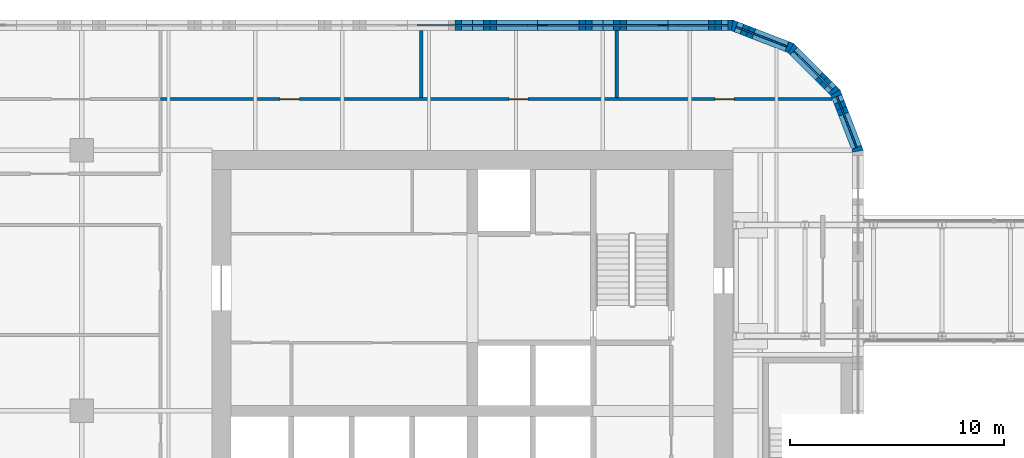
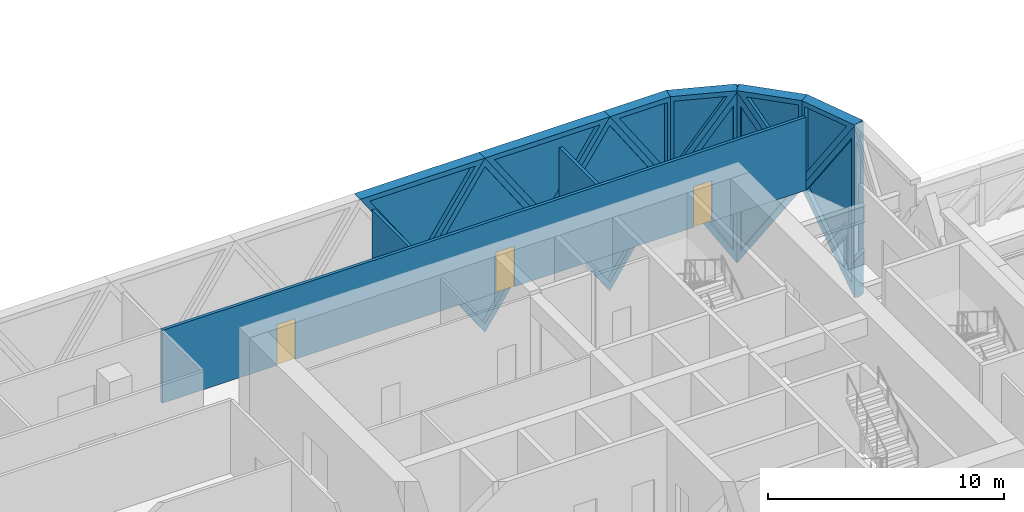
# One storey, part 19 of 30: 14 walls, 11 plates, 3 doors, 14 openings.
"""IFC4 building model written with IfcOpenShell, lengths in metres."""

from ifc_helpers import new_model, si_unit, direction, frame, frame_2d, origin, place, context, subcontext, project, spatial, polyline, rectangle, outline, extrude, faceted_brep, source, transform, mapped, material, layer, layer_set, type_object, element, fill, save


model = new_model("IFC4")

# Units and contexts
model_context = context("Model", 3, precision=1e-05, world=origin(), true_north=direction((0.0, 1.0)))
body_context = subcontext(model_context, "Body", "Model", "MODEL_VIEW")
ifc_project = project(units=[si_unit("LENGTHUNIT", "METRE"), si_unit("AREAUNIT", "SQUARE_METRE"), si_unit("VOLUMEUNIT", "CUBIC_METRE"), si_unit("PLANEANGLEUNIT", "RADIAN"), si_unit("MASSUNIT", "GRAM", prefix="KILO")], contexts=[model_context])

# Site, building, storey
site_placement = place(None, origin())
site = spatial("IfcSite", under=ifc_project, at=site_placement, CompositionType="ELEMENT")
building_placement = place(site_placement, origin())
building = spatial("IfcBuilding", under=site, at=building_placement, Name="Tessera Gate Towers", CompositionType="ELEMENT")
storey_placement = place(building_placement, frame((0.0, 0.0, 21.300048828125)))
storey = spatial("IfcBuildingStorey", under=building, at=storey_placement, Name="L04", CompositionType="ELEMENT", Elevation=21.300048828125)

# Wall, openings, doors
ifc_material_1 = material(Name="Gypsum board on steel studs, mineral wool", Category="steel")
ifc_layer_1 = layer(ifc_material_1, 0.14990234375)
ifc_layer_set_1 = layer_set([ifc_layer_1], Name="CORRIDOR WALL 150")
wall_type_1 = type_object("IfcWallType", Name="CORRIDOR WALL 150", PredefinedType="PARTITIONING", material=ifc_layer_set_1)
wall_1_placement = place(storey_placement, frame((28.10009765625, 51.199951171875, 0.0), z_axis=(0.0, 0.0, 1.0), x_axis=(1.0, 0.0, 0.0)))
wall_1 = element("IfcWall", 1, at=wall_1_placement, inside=storey, type_object=wall_type_1, Name="T1-L04-PW-046", PredefinedType="PARTITIONING", context=body_context, shape_type="SweptSolid", body=[
    extrude(rectangle(XDim=31.438232421875, YDim=0.14990234375, at=frame_2d((15.71923828125, 0.0))), origin(), (0.0, 0.0, 1.0), 3.766845703125),
])
shared_shape_1 = source(origin(), body_context, "Body", "SweptSolid", [
    extrude(rectangle(XDim=0.89990234375, YDim=2.10009765625, at=frame_2d((0.449951171875, 1.050048828125))), frame((0.0, 0.0849609375, 0.0), z_axis=(0.0, -1.0, 0.0), x_axis=(1.0, 0.0, 0.0)), (0.0, 0.0, 1.0), 0.169921875),
])
opening_1_placement = place(wall_1_placement, frame((16.301025390625, 0.0, 0.0)))
opening_1 = element("IfcOpeningElement", 2, at=opening_1_placement, cuts=wall_1, Name="Opening D890FD60-A01-05", PredefinedType="OPENING", context=body_context, shape_type="MappedRepresentation", body=[
    mapped(shared_shape_1, transform((0.0, 0.0, 0.0), scale=1.0)),
])
opening_2_placement = place(wall_1_placement, frame((25.949951171875, 0.0, 0.0)))
opening_2 = element("IfcOpeningElement", 3, at=opening_2_placement, cuts=wall_1, Name="Opening D890FD60-A01-07", PredefinedType="OPENING", context=body_context, shape_type="MappedRepresentation", body=[
    mapped(shared_shape_1, transform((0.0, 0.0, 0.0), scale=1.0)),
])
opening_3_placement = place(wall_1_placement, frame((5.60009765625, 0.0, 0.0)))
opening_3 = element("IfcOpeningElement", 4, at=opening_3_placement, cuts=wall_1, Name="Opening D890FD60-A01-08", PredefinedType="OPENING", context=body_context, shape_type="MappedRepresentation", body=[
    mapped(shared_shape_1, transform((0.0, 0.0, 0.0), scale=1.0)),
])
ifc_material_2 = material(Name="Timber door leaf in steel frame", Category="steel")
door_type = type_object("IfcDoorType", Name="CORRIDOR DOOR 900 FD60", OperationType="NOTDEFINED", PredefinedType="DOOR", material=ifc_material_2)
shared_shape_2 = source(origin(), body_context, "Body", "SweptSolid", [
    extrude(rectangle(XDim=0.89990234375, YDim=2.10009765625, at=frame_2d((0.449951171875, 1.050048828125))), frame((0.0, 0.02490234375, 0.0), z_axis=(0.0, -1.0, 0.0), x_axis=(1.0, 0.0, 0.0)), (0.0, 0.0, 1.0), 0.050048828125),
])
door_1_placement = place(opening_1_placement, origin())
door_1 = element("IfcDoor", 5, at=door_1_placement, inside=storey, type_object=door_type, Name="T1-L04-PD-019", OperationType="SINGLE_SWING_LEFT", OverallHeight=2.10009765625, OverallWidth=0.89990234375, PredefinedType="DOOR", context=body_context, shape_type="MappedRepresentation", body=[
    mapped(shared_shape_2, transform((0.0, 0.0, 0.0), scale=1.0)),
])
fill(opening_1, door_1)
door_2_placement = place(opening_2_placement, origin())
door_2 = element("IfcDoor", 6, at=door_2_placement, inside=storey, type_object=door_type, Name="T1-L04-PD-022", OperationType="SINGLE_SWING_LEFT", OverallHeight=2.10009765625, OverallWidth=0.89990234375, PredefinedType="DOOR", context=body_context, shape_type="MappedRepresentation", body=[
    mapped(shared_shape_2, transform((0.0, 0.0, 0.0), scale=1.0)),
])
fill(opening_2, door_2)
door_3_placement = place(opening_3_placement, origin())
door_3 = element("IfcDoor", 7, at=door_3_placement, inside=storey, type_object=door_type, Name="T1-L04-PD-024", OperationType="SINGLE_SWING_LEFT", OverallHeight=2.10009765625, OverallWidth=0.89990234375, PredefinedType="DOOR", context=body_context, shape_type="MappedRepresentation", body=[
    mapped(shared_shape_2, transform((0.0, 0.0, 0.0), scale=1.0)),
])
fill(opening_3, door_3)

# Walls
ifc_material_3 = material(Name="Gypsum board on steel studs, mineral wool", Category="steel")
ifc_layer_2 = layer(ifc_material_3, 0.14990234375)
ifc_layer_set_2 = layer_set([ifc_layer_2], Name="TENANCY WALL 150")
wall_type_2 = type_object("IfcWallType", Name="TENANCY WALL 150", PredefinedType="PARTITIONING", material=ifc_layer_set_2)
for number, where, z_axis, x_axis, name in (
    (8, (40.300048828125, 51.27587890625, 0.0), (0.0, 0.0, 1.0), (0.0, 1.0, 0.0), "T1-L04-PW-050"),
    (9, (49.449951171875, 51.27587890625, 0.0), (0.0, 0.0, 1.0), (0.0, 1.0, 0.0), "T1-L04-PW-051"),
):
    element("IfcWall", number, at=place(storey_placement, frame(where, z_axis=z_axis, x_axis=x_axis)), inside=storey, type_object=wall_type_2, Name=name, PredefinedType="PARTITIONING", context=body_context, shape_type="SweptSolid", body=[
        extrude(rectangle(XDim=3.1240234375, YDim=0.14990234375, at=frame_2d((1.56201171875, 0.0))), origin(), (0.0, 0.0, 1.0), 3.766845703125),
    ])

# Wall, opening, plate
ifc_material_4 = material(Name="Precast concrete C60/75 white", Category="concrete")
ifc_layer_3 = layer(ifc_material_4, 0.5)
ifc_layer_set_3 = layer_set([ifc_layer_3], Name="TS1 tessera")
wall_type_3 = type_object("IfcWallType", Name="TS1 tessera", PredefinedType="SOLIDWALL", material=ifc_layer_set_3)
shared_shape_3 = source(origin(), body_context, "Body", "Brep", [
    faceted_brep([(3.00341796875, -0.25, 0.0), (6.053466796875, -0.25, 4.5), (3.00341796875, -0.25, 9.0), (0.0, -0.25, 4.5), (0.046630859375, 0.25, 4.56982421875), (3.00341796875, 0.25, 9.0), (6.053466796875, 0.25, 4.5), (3.00341796875, 0.25, 0.0), (0.046630859375, 0.25, 4.43017578125), (0.0, 0.0, 4.5)], [[[0, 1, 2, 3]], [[4, 5, 6, 7, 8]], [[7, 6, 1, 0]], [[6, 5, 2, 1]], [[5, 4, 9, 3, 2]], [[8, 7, 0, 3, 9]], [[8, 9, 4]]]),
])
wall_2_placement = place(storey_placement, frame((54.853515625, 54.64990234375, -4.5), z_axis=(0.0, 0.0, 1.0), x_axis=(-1.0, 0.0, 0.0)))
wall_2 = element("IfcWall", 10, at=wall_2_placement, inside=storey, type_object=wall_type_3, Name="Precast tessera T1 TS1-0010", PredefinedType="SOLIDWALL", context=body_context, shape_type="MappedRepresentation", body=[
    mapped(shared_shape_3, transform((0.0, 0.0, 0.0), scale=1.0)),
])
shared_shape_4 = source(origin(), body_context, "Body", "SweptSolid", [
    extrude(outline(polyline([(3.005126953125, 0.447998046875), (5.75146484375, 4.5), (3.005126953125, 8.552001953125), (0.300537109375, 4.5), (3.005126953125, 0.447998046875)])), frame((0.0, 0.260009765625, 0.0), z_axis=(0.0, -1.0, 0.0), x_axis=(1.0, 0.0, 0.0)), (0.0, 0.0, 1.0), 0.52001953125),
])
opening_4_placement = place(wall_2_placement, origin())
opening_4 = element("IfcOpeningElement", 11, at=opening_4_placement, cuts=wall_2, Name="Opening T1-PL2-0018", PredefinedType="OPENING", context=body_context, shape_type="MappedRepresentation", body=[
    mapped(shared_shape_4, transform((0.0, 0.0, 0.0), scale=1.0)),
])
ifc_material_5 = material(Name="Low-e laminated glass", Category="glass")
ifc_layer_4 = layer(ifc_material_5, 0.06005859375)
ifc_layer_set_4 = layer_set([ifc_layer_4], Name="PL2 rhombic pane")
plate_type_1 = type_object("IfcPlateType", Name="PL2 rhombic pane", PredefinedType="SHEET", material=ifc_layer_set_4)
shared_shape_5 = source(origin(), body_context, "Body", "SweptSolid", [
    extrude(outline(polyline([(3.005126953125, 0.447998046875), (5.75146484375, 4.5), (3.005126953125, 8.552001953125), (0.300537109375, 4.5), (3.005126953125, 0.447998046875)])), frame((0.0, 0.030029296875, 0.0), z_axis=(0.0, -1.0, 0.0), x_axis=(1.0, 0.0, 0.0)), (0.0, 0.0, 1.0), 0.06005859375),
])
plate_1_placement = place(opening_4_placement, origin())
plate_1 = element("IfcPlate", 12, at=plate_1_placement, inside=storey, type_object=plate_type_1, Name="Glass pane T1 PL2-0018", PredefinedType="SHEET", context=body_context, shape_type="MappedRepresentation", body=[
    mapped(shared_shape_5, transform((0.0, 0.0, 0.0), scale=1.0)),
])
fill(opening_4, plate_1)

shared_shape_6 = source(origin(), body_context, "Body", "SweptSolid", [
    extrude(outline(polyline([(3.050048828125, 0.0), (6.10009765625, 4.5), (3.050048828125, 9.0), (0.0, 4.5), (3.050048828125, 0.0)])), frame((0.0, 0.25, 0.0), z_axis=(0.0, -1.0, 0.0), x_axis=(1.0, 0.0, 0.0)), (0.0, 0.0, 1.0), 0.5),
])
wall_3_placement = place(storey_placement, frame((48.800048828125, 54.64990234375, -4.5), z_axis=(0.0, 0.0, 1.0), x_axis=(-1.0, 0.0, 0.0)))
wall_3 = element("IfcWall", 13, at=wall_3_placement, inside=storey, type_object=wall_type_3, Name="Precast tessera T1 TS1-0011", PredefinedType="SOLIDWALL", context=body_context, shape_type="MappedRepresentation", body=[
    mapped(shared_shape_6, transform((0.0, 0.0, 0.0), scale=1.0)),
])
shared_shape_7 = source(origin(), body_context, "Body", "SweptSolid", [
    extrude(outline(polyline([(3.050048828125, 0.445556640625), (5.798095703125, 4.5), (3.050048828125, 8.554443359375), (0.302001953125, 4.5), (3.050048828125, 0.445556640625)])), frame((0.0, 0.260009765625, 0.0), z_axis=(0.0, -1.0, 0.0), x_axis=(1.0, 0.0, 0.0)), (0.0, 0.0, 1.0), 0.52001953125),
])
opening_5_placement = place(wall_3_placement, origin())
opening_5 = element("IfcOpeningElement", 14, at=opening_5_placement, cuts=wall_3, Name="Opening T1-PL2-0019", PredefinedType="OPENING", context=body_context, shape_type="MappedRepresentation", body=[
    mapped(shared_shape_7, transform((0.0, 0.0, 0.0), scale=1.0)),
])
shared_shape_8 = source(origin(), body_context, "Body", "SweptSolid", [
    extrude(outline(polyline([(3.050048828125, 0.445556640625), (5.798095703125, 4.5), (3.050048828125, 8.554443359375), (0.302001953125, 4.5), (3.050048828125, 0.445556640625)])), frame((0.0, 0.030029296875, 0.0), z_axis=(0.0, -1.0, 0.0), x_axis=(1.0, 0.0, 0.0)), (0.0, 0.0, 1.0), 0.06005859375),
])
plate_2_placement = place(opening_5_placement, origin())
plate_2 = element("IfcPlate", 15, at=plate_2_placement, inside=storey, type_object=plate_type_1, Name="Glass pane T1 PL2-0019", PredefinedType="SHEET", context=body_context, shape_type="MappedRepresentation", body=[
    mapped(shared_shape_8, transform((0.0, 0.0, 0.0), scale=1.0)),
])
fill(opening_5, plate_2)

ifc_material_6 = material(Name="Precast concrete C60/75 white", Category="concrete")
ifc_layer_5 = layer(ifc_material_6, 0.5)
ifc_layer_set_5 = layer_set([ifc_layer_5], Name="TS3 corner tessera")
wall_type_4 = type_object("IfcWallType", Name="TS3 corner tessera", PredefinedType="SOLIDWALL", material=ifc_layer_set_5)
shared_shape_9 = source(origin(), body_context, "Body", "Brep", [
    faceted_brep([(0.046630859375, -0.25, 0.0), (2.9970703125, -0.25, 4.5), (0.046630859375, -0.25, 9.0), (0.0, -0.25, 8.93017578125), (0.0, -0.25, 0.06982421875), (0.09326171875, 0.25, 8.928955078125), (2.9443359375, 0.25, 4.58056640625), (2.9443359375, 0.25, 4.41943359375), (0.09326171875, 0.25, 0.071044921875), (2.9970703125, 0.00048828125, 4.5), (0.046630859375, 0.0, 0.0), (0.046630859375, 0.0, 9.0)], [[[0, 1, 2, 3, 4]], [[5, 6, 7, 8]], [[8, 7, 9, 1, 0, 10]], [[6, 5, 11, 2, 1, 9]], [[3, 2, 11]], [[10, 0, 4]], [[8, 10, 4, 3, 11, 5]], [[9, 7, 6]]]),
])
wall_4_placement = place(storey_placement, frame((60.766845703125, 48.7099609375, -4.5), z_axis=(0.0, 0.0, 1.0), x_axis=(-0.359901446078, 0.932990326376, 0.0)))
wall_4 = element("IfcWall", 16, at=wall_4_placement, inside=storey, type_object=wall_type_4, Name="Precast corner tessera T1 TS3-0030", PredefinedType="SOLIDWALL", context=body_context, shape_type="MappedRepresentation", body=[
    mapped(shared_shape_9, transform((0.0, 0.0, 0.0), scale=1.0)),
])
shared_shape_10 = source(origin(), body_context, "Body", "SweptSolid", [
    extrude(outline(polyline([(0.24658203125, 0.760986328125), (2.6982421875, 4.5), (0.24658203125, 8.239013671875), (0.24658203125, 0.760986328125)])), frame((0.0, 0.260009765625, 0.0), z_axis=(0.0, -1.0, 0.0), x_axis=(1.0, 0.0, 0.0)), (0.0, 0.0, 1.0), 0.52001953125),
])
opening_6_placement = place(wall_4_placement, origin())
opening_6 = element("IfcOpeningElement", 17, at=opening_6_placement, cuts=wall_4, Name="Opening T1-PL2-0015", PredefinedType="OPENING", context=body_context, shape_type="MappedRepresentation", body=[
    mapped(shared_shape_10, transform((0.0, 0.0, 0.0), scale=1.0)),
])
shared_shape_11 = source(origin(), body_context, "Body", "SweptSolid", [
    extrude(outline(polyline([(0.24658203125, 0.760986328125), (2.6982421875, 4.5), (0.24658203125, 8.239013671875), (0.24658203125, 0.760986328125)])), frame((0.0, 0.030029296875, 0.0), z_axis=(0.0, -1.0, 0.0), x_axis=(1.0, 0.0, 0.0)), (0.0, 0.0, 1.0), 0.06005859375),
])
plate_3_placement = place(opening_6_placement, origin())
plate_3 = element("IfcPlate", 18, at=plate_3_placement, inside=storey, type_object=plate_type_1, Name="Glass pane T1 PL2-0015", PredefinedType="SHEET", context=body_context, shape_type="MappedRepresentation", body=[
    mapped(shared_shape_11, transform((0.0, 0.0, 0.0), scale=1.0)),
])
fill(opening_6, plate_3)

shared_shape_12 = source(origin(), body_context, "Body", "Brep", [
    faceted_brep([(2.944091796875, -0.25, 0.0), (2.9970703125, -0.25, 0.080810546875), (2.9970703125, -0.25, 8.919189453125), (2.944091796875, -0.25, 9.0), (0.0, -0.25, 4.5), (0.052978515625, 0.25, 4.580810546875), (2.89111328125, 0.25, 8.919189453125), (2.89111328125, 0.25, 0.080810546875), (0.052978515625, 0.25, 4.419189453125), (2.944091796875, 0.000244140625, 0.0), (2.944091796875, 0.000244140625, 9.0), (0.0, 0.0, 4.5)], [[[0, 1, 2, 3, 4]], [[5, 6, 7, 8]], [[1, 0, 9]], [[10, 3, 2]], [[6, 5, 11, 4, 3, 10]], [[8, 7, 9, 0, 4, 11]], [[8, 11, 5]], [[1, 9, 7, 6, 10, 2]]]),
])
wall_5_placement = place(storey_placement, frame((59.68798828125, 51.50634765625, -4.5), z_axis=(0.0, 0.0, 1.0), x_axis=(-0.707106781187, 0.707106781187, 0.0)))
wall_5 = element("IfcWall", 19, at=wall_5_placement, inside=storey, type_object=wall_type_4, Name="Precast corner tessera T1 TS3-0031", PredefinedType="SOLIDWALL", context=body_context, shape_type="MappedRepresentation", body=[
    mapped(shared_shape_12, transform((0.0, 0.0, 0.0), scale=1.0)),
])
shared_shape_13 = source(origin(), body_context, "Body", "SweptSolid", [
    extrude(outline(polyline([(2.744140625, 8.237548828125), (0.298828125, 4.5), (2.744140625, 0.76220703125), (2.744140625, 8.237548828125)])), frame((0.0, 0.260009765625, 0.0), z_axis=(0.0, -1.0, 0.0), x_axis=(1.0, 0.0, 0.0)), (0.0, 0.0, 1.0), 0.52001953125),
])
opening_7_placement = place(wall_5_placement, origin())
opening_7 = element("IfcOpeningElement", 20, at=opening_7_placement, cuts=wall_5, Name="Opening T1-PL2-0016", PredefinedType="OPENING", context=body_context, shape_type="MappedRepresentation", body=[
    mapped(shared_shape_13, transform((0.0, 0.0, 0.0), scale=1.0)),
])
shared_shape_14 = source(origin(), body_context, "Body", "SweptSolid", [
    extrude(outline(polyline([(2.744140625, 8.237548828125), (0.298828125, 4.5), (2.744140625, 0.76220703125), (2.744140625, 8.237548828125)])), frame((0.0, 0.030029296875, 0.0), z_axis=(0.0, -1.0, 0.0), x_axis=(1.0, 0.0, 0.0)), (0.0, 0.0, 1.0), 0.06005859375),
])
plate_4_placement = place(opening_7_placement, origin())
plate_4 = element("IfcPlate", 21, at=plate_4_placement, inside=storey, type_object=plate_type_1, Name="Glass pane T1 PL2-0016", PredefinedType="SHEET", context=body_context, shape_type="MappedRepresentation", body=[
    mapped(shared_shape_14, transform((0.0, 0.0, 0.0), scale=1.0)),
])
fill(opening_7, plate_4)

shared_shape_15 = source(origin(), body_context, "Body", "Brep", [
    faceted_brep([(0.052978515625, -0.25, 0.0), (3.00341796875, -0.25, 4.5), (0.052978515625, -0.25, 9.0), (0.0, -0.25, 8.919189453125), (0.0, -0.25, 0.080810546875), (0.10595703125, 0.25, 8.919189453125), (2.95703125, 0.25, 4.57080078125), (2.95703125, 0.25, 4.42919921875), (0.10595703125, 0.25, 0.080810546875), (3.00341796875, 0.00048828125, 4.5), (0.052978515625, 0.0, 0.0), (0.052978515625, 0.0, 9.0)], [[[0, 1, 2, 3, 4]], [[5, 6, 7, 8]], [[8, 7, 9, 1, 0, 10]], [[6, 5, 11, 2, 1, 9]], [[3, 2, 11]], [[10, 0, 4]], [[8, 10, 4, 3, 11, 5]], [[9, 7, 6]]]),
])
wall_6_placement = place(storey_placement, frame((57.65576171875, 53.569091796875, -4.5), z_axis=(0.0, 0.0, 1.0), x_axis=(-0.933007896601, 0.359855894603, 0.0)))
wall_6 = element("IfcWall", 22, at=wall_6_placement, inside=storey, type_object=wall_type_4, Name="Precast corner tessera T1 TS3-0032", PredefinedType="SOLIDWALL", context=body_context, shape_type="MappedRepresentation", body=[
    mapped(shared_shape_15, transform((0.0, 0.0, 0.0), scale=1.0)),
])
shared_shape_16 = source(origin(), body_context, "Body", "SweptSolid", [
    extrude(outline(polyline([(0.2529296875, 0.760986328125), (2.70458984375, 4.5), (0.2529296875, 8.239013671875), (0.2529296875, 0.760986328125)])), frame((0.0, 0.260009765625, 0.0), z_axis=(0.0, -1.0, 0.0), x_axis=(1.0, 0.0, 0.0)), (0.0, 0.0, 1.0), 0.52001953125),
])
opening_8_placement = place(wall_6_placement, origin())
opening_8 = element("IfcOpeningElement", 23, at=opening_8_placement, cuts=wall_6, Name="Opening T1-PL2-0017", PredefinedType="OPENING", context=body_context, shape_type="MappedRepresentation", body=[
    mapped(shared_shape_16, transform((0.0, 0.0, 0.0), scale=1.0)),
])
shared_shape_17 = source(origin(), body_context, "Body", "SweptSolid", [
    extrude(outline(polyline([(0.2529296875, 0.760986328125), (2.70458984375, 4.5), (0.2529296875, 8.239013671875), (0.2529296875, 0.760986328125)])), frame((0.0, 0.030029296875, 0.0), z_axis=(0.0, -1.0, 0.0), x_axis=(1.0, 0.0, 0.0)), (0.0, 0.0, 1.0), 0.06005859375),
])
plate_5_placement = place(opening_8_placement, origin())
plate_5 = element("IfcPlate", 24, at=plate_5_placement, inside=storey, type_object=plate_type_1, Name="Glass pane T1 PL2-0017", PredefinedType="SHEET", context=body_context, shape_type="MappedRepresentation", body=[
    mapped(shared_shape_17, transform((0.0, 0.0, 0.0), scale=1.0)),
])
fill(opening_8, plate_5)

shared_shape_18 = source(origin(), body_context, "Body", "Brep", [
    faceted_brep([(0.046630859375, -0.25, 0.0), (3.050048828125, -0.25, 4.5), (0.0, -0.25, 4.5), (0.0, -0.25, 0.071044921875), (0.09326171875, 0.25, 4.5), (3.050048828125, 0.25, 4.5), (0.09326171875, 0.25, 0.06982421875), (0.046630859375, 0.0, 0.0)], [[[0, 1, 2, 3]], [[4, 5, 6]], [[6, 5, 1, 0, 7]], [[5, 4, 2, 1]], [[7, 0, 3]], [[6, 7, 3, 2, 4]]]),
])
wall_7_placement = place(storey_placement, frame((54.900146484375, 54.64990234375, 0.0), z_axis=(0.0, 0.0, 1.0), x_axis=(-1.0, 0.0, 0.0)))
wall_7 = element("IfcWall", 25, at=wall_7_placement, inside=storey, type_object=wall_type_4, Name="Precast corner tessera T1 TS3-0058", PredefinedType="SOLIDWALL", context=body_context, shape_type="MappedRepresentation", body=[
    mapped(shared_shape_18, transform((0.0, 0.0, 0.0), scale=1.0)),
])
shared_shape_19 = source(origin(), body_context, "Body", "SweptSolid", [
    extrude(outline(polyline([(0.24658203125, 0.75), (2.582763671875, 4.25), (0.24658203125, 4.25), (0.24658203125, 0.75)])), frame((0.0, 0.260009765625, 0.0), z_axis=(0.0, -1.0, 0.0), x_axis=(1.0, 0.0, 0.0)), (0.0, 0.0, 1.0), 0.52001953125),
])
opening_9_placement = place(wall_7_placement, origin())
opening_9 = element("IfcOpeningElement", 26, at=opening_9_placement, cuts=wall_7, Name="Opening T1-PL1-0066", PredefinedType="OPENING", context=body_context, shape_type="MappedRepresentation", body=[
    mapped(shared_shape_19, transform((0.0, 0.0, 0.0), scale=1.0)),
])
ifc_material_7 = material(Name="Low-e laminated glass", Category="glass")
ifc_layer_6 = layer(ifc_material_7, 0.06005859375)
ifc_layer_set_6 = layer_set([ifc_layer_6], Name="PL1 triangular pane")
plate_type_2 = type_object("IfcPlateType", Name="PL1 triangular pane", PredefinedType="SHEET", material=ifc_layer_set_6)
shared_shape_20 = source(origin(), body_context, "Body", "SweptSolid", [
    extrude(outline(polyline([(0.24658203125, 0.75), (2.582763671875, 4.25), (0.24658203125, 4.25), (0.24658203125, 0.75)])), frame((0.0, 0.030029296875, 0.0), z_axis=(0.0, -1.0, 0.0), x_axis=(1.0, 0.0, 0.0)), (0.0, 0.0, 1.0), 0.06005859375),
])
plate_6_placement = place(opening_9_placement, origin())
plate_6 = element("IfcPlate", 27, at=plate_6_placement, inside=storey, type_object=plate_type_2, Name="Glass pane T1 PL1-0066", PredefinedType="SHEET", context=body_context, shape_type="MappedRepresentation", body=[
    mapped(shared_shape_20, transform((0.0, 0.0, 0.0), scale=1.0)),
])
fill(opening_9, plate_6)

ifc_material_8 = material(Name="Precast concrete C60/75 white", Category="concrete")
ifc_layer_7 = layer(ifc_material_8, 0.5)
ifc_layer_set_7 = layer_set([ifc_layer_7], Name="TS2 half tessera")
wall_type_5 = type_object("IfcWallType", Name="TS2 half tessera", PredefinedType="SOLIDWALL", material=ifc_layer_set_7)
shared_shape_21 = source(origin(), body_context, "Body", "SweptSolid", [
    extrude(outline(polyline([(3.050048828125, 0.0), (6.10009765625, 4.5), (0.0, 4.5), (3.050048828125, 0.0)])), frame((0.0, 0.25, 0.0), z_axis=(0.0, -1.0, 0.0), x_axis=(1.0, 0.0, 0.0)), (0.0, 0.0, 1.0), 0.5),
])
wall_8_placement = place(storey_placement, frame((51.85009765625, 54.64990234375, 0.0), z_axis=(0.0, 0.0, 1.0), x_axis=(-1.0, 0.0, 0.0)))
wall_8 = element("IfcWall", 28, at=wall_8_placement, inside=storey, type_object=wall_type_5, Name="Precast half tessera T1 TS2-0033", PredefinedType="SOLIDWALL", context=body_context, shape_type="MappedRepresentation", body=[
    mapped(shared_shape_21, transform((0.0, 0.0, 0.0), scale=1.0)),
])
shared_shape_22 = source(origin(), body_context, "Body", "SweptSolid", [
    extrude(outline(polyline([(3.050048828125, 0.445556640625), (5.628662109375, 4.25), (0.471435546875, 4.25), (3.050048828125, 0.445556640625)])), frame((0.0, 0.260009765625, 0.0), z_axis=(0.0, -1.0, 0.0), x_axis=(1.0, 0.0, 0.0)), (0.0, 0.0, 1.0), 0.52001953125),
])
opening_10_placement = place(wall_8_placement, origin())
opening_10 = element("IfcOpeningElement", 29, at=opening_10_placement, cuts=wall_8, Name="Opening T1-PL1-0067", PredefinedType="OPENING", context=body_context, shape_type="MappedRepresentation", body=[
    mapped(shared_shape_22, transform((0.0, 0.0, 0.0), scale=1.0)),
])
shared_shape_23 = source(origin(), body_context, "Body", "SweptSolid", [
    extrude(outline(polyline([(3.050048828125, 0.445556640625), (5.628662109375, 4.25), (0.471435546875, 4.25), (3.050048828125, 0.445556640625)])), frame((0.0, 0.030029296875, 0.0), z_axis=(0.0, -1.0, 0.0), x_axis=(1.0, 0.0, 0.0)), (0.0, 0.0, 1.0), 0.06005859375),
])
plate_7_placement = place(opening_10_placement, origin())
plate_7 = element("IfcPlate", 30, at=plate_7_placement, inside=storey, type_object=plate_type_2, Name="Glass pane T1 PL1-0067", PredefinedType="SHEET", context=body_context, shape_type="MappedRepresentation", body=[
    mapped(shared_shape_23, transform((0.0, 0.0, 0.0), scale=1.0)),
])
fill(opening_10, plate_7)

wall_9_placement = place(storey_placement, frame((45.75, 54.64990234375, 0.0), z_axis=(0.0, 0.0, 1.0), x_axis=(-1.0, 0.0, 0.0)))
wall_9 = element("IfcWall", 31, at=wall_9_placement, inside=storey, type_object=wall_type_5, Name="Precast half tessera T1 TS2-0034", PredefinedType="SOLIDWALL", context=body_context, shape_type="MappedRepresentation", body=[
    mapped(shared_shape_21, transform((0.0, 0.0, 0.0), scale=1.0)),
])
opening_11_placement = place(wall_9_placement, origin())
opening_11 = element("IfcOpeningElement", 32, at=opening_11_placement, cuts=wall_9, Name="Opening T1-PL1-0068", PredefinedType="OPENING", context=body_context, shape_type="MappedRepresentation", body=[
    mapped(shared_shape_22, transform((0.0, 0.0, 0.0), scale=1.0)),
])
plate_8_placement = place(opening_11_placement, origin())
plate_8 = element("IfcPlate", 33, at=plate_8_placement, inside=storey, type_object=plate_type_2, Name="Glass pane T1 PL1-0068", PredefinedType="SHEET", context=body_context, shape_type="MappedRepresentation", body=[
    mapped(shared_shape_23, transform((0.0, 0.0, 0.0), scale=1.0)),
])
fill(opening_11, plate_8)

shared_shape_24 = source(origin(), body_context, "Body", "Brep", [
    faceted_brep([(2.950439453125, -0.25, 0.0), (3.00341796875, -0.25, 0.0810546875), (3.00341796875, -0.25, 4.5), (0.0, -0.25, 4.5), (0.046630859375, 0.25, 4.5), (2.897705078125, 0.25, 4.5), (2.897705078125, 0.25, 0.08056640625), (0.046630859375, 0.25, 4.428955078125), (2.950439453125, 0.00048828125, 0.0), (0.0, 0.0, 4.5)], [[[0, 1, 2, 3]], [[4, 5, 6, 7]], [[1, 0, 8]], [[5, 4, 9, 3, 2]], [[7, 6, 8, 0, 3, 9]], [[7, 9, 4]], [[1, 8, 6, 5, 2]]]),
])
wall_10_placement = place(storey_placement, frame((60.75, 48.75341796875, 0.0), z_axis=(0.0, 0.0, 1.0), x_axis=(-0.35992665181, 0.932980602862, 0.0)))
wall_10 = element("IfcWall", 34, at=wall_10_placement, inside=storey, type_object=wall_type_4, Name="Precast corner tessera T1 TS3-0055", PredefinedType="SOLIDWALL", context=body_context, shape_type="MappedRepresentation", body=[
    mapped(shared_shape_24, transform((0.0, 0.0, 0.0), scale=1.0)),
])
shared_shape_25 = source(origin(), body_context, "Body", "SweptSolid", [
    extrude(outline(polyline([(2.75048828125, 4.25), (0.462890625, 4.25), (2.75048828125, 0.760986328125), (2.75048828125, 4.25)])), frame((0.0, 0.260009765625, 0.0), z_axis=(0.0, -1.0, 0.0), x_axis=(1.0, 0.0, 0.0)), (0.0, 0.0, 1.0), 0.52001953125),
])
opening_12_placement = place(wall_10_placement, origin())
opening_12 = element("IfcOpeningElement", 35, at=opening_12_placement, cuts=wall_10, Name="Opening T1-PL1-0063", PredefinedType="OPENING", context=body_context, shape_type="MappedRepresentation", body=[
    mapped(shared_shape_25, transform((0.0, 0.0, 0.0), scale=1.0)),
])
shared_shape_26 = source(origin(), body_context, "Body", "SweptSolid", [
    extrude(outline(polyline([(2.75048828125, 4.25), (0.462890625, 4.25), (2.75048828125, 0.760986328125), (2.75048828125, 4.25)])), frame((0.0, 0.030029296875, 0.0), z_axis=(0.0, -1.0, 0.0), x_axis=(1.0, 0.0, 0.0)), (0.0, 0.0, 1.0), 0.06005859375),
])
plate_9_placement = place(opening_12_placement, origin())
plate_9 = element("IfcPlate", 36, at=plate_9_placement, inside=storey, type_object=plate_type_2, Name="Glass pane T1 PL1-0063", PredefinedType="SHEET", context=body_context, shape_type="MappedRepresentation", body=[
    mapped(shared_shape_26, transform((0.0, 0.0, 0.0), scale=1.0)),
])
fill(opening_12, plate_9)

shared_shape_27 = source(origin(), body_context, "Body", "Brep", [
    faceted_brep([(0.052978515625, -0.25, 0.0), (2.9970703125, -0.25, 4.5), (0.0, -0.25, 4.5), (0.0, -0.25, 0.080810546875), (0.10595703125, 0.25, 4.5), (2.944091796875, 0.25, 4.5), (2.944091796875, 0.25, 4.419189453125), (0.10595703125, 0.25, 0.080810546875), (2.9970703125, 0.000244140625, 4.5), (0.052978515625, 0.0, 0.0)], [[[0, 1, 2, 3]], [[4, 5, 6, 7]], [[7, 6, 8, 1, 0, 9]], [[5, 4, 2, 1, 8]], [[9, 0, 3]], [[7, 9, 3, 2, 4]], [[6, 5, 8]]]),
])
wall_11_placement = place(storey_placement, frame((59.7255859375, 51.46875, 0.0), z_axis=(0.0, 0.0, 1.0), x_axis=(-0.707106781187, 0.707106781187, 0.0)))
wall_11 = element("IfcWall", 37, at=wall_11_placement, inside=storey, type_object=wall_type_4, Name="Precast corner tessera T1 TS3-0056", PredefinedType="SOLIDWALL", context=body_context, shape_type="MappedRepresentation", body=[
    mapped(shared_shape_27, transform((0.0, 0.0, 0.0), scale=1.0)),
])
shared_shape_28 = source(origin(), body_context, "Body", "SweptSolid", [
    extrude(outline(polyline([(0.2529296875, 0.76220703125), (2.534912109375, 4.25), (0.2529296875, 4.25), (0.2529296875, 0.76220703125)])), frame((0.0, 0.260009765625, 0.0), z_axis=(0.0, -1.0, 0.0), x_axis=(1.0, 0.0, 0.0)), (0.0, 0.0, 1.0), 0.52001953125),
])
opening_13_placement = place(wall_11_placement, origin())
opening_13 = element("IfcOpeningElement", 38, at=opening_13_placement, cuts=wall_11, Name="Opening T1-PL1-0064", PredefinedType="OPENING", context=body_context, shape_type="MappedRepresentation", body=[
    mapped(shared_shape_28, transform((0.0, 0.0, 0.0), scale=1.0)),
])
shared_shape_29 = source(origin(), body_context, "Body", "SweptSolid", [
    extrude(outline(polyline([(0.2529296875, 0.76220703125), (2.534912109375, 4.25), (0.2529296875, 4.25), (0.2529296875, 0.76220703125)])), frame((0.0, 0.030029296875, 0.0), z_axis=(0.0, -1.0, 0.0), x_axis=(1.0, 0.0, 0.0)), (0.0, 0.0, 1.0), 0.06005859375),
])
plate_10_placement = place(opening_13_placement, origin())
plate_10 = element("IfcPlate", 39, at=plate_10_placement, inside=storey, type_object=plate_type_2, Name="Glass pane T1 PL1-0064", PredefinedType="SHEET", context=body_context, shape_type="MappedRepresentation", body=[
    mapped(shared_shape_29, transform((0.0, 0.0, 0.0), scale=1.0)),
])
fill(opening_13, plate_10)

shared_shape_30 = source(origin(), body_context, "Body", "Brep", [
    faceted_brep([(2.950439453125, -0.25, 0.0), (2.9970703125, -0.25, 0.06982421875), (2.9970703125, -0.25, 4.5), (0.0, -0.25, 4.5), (0.052978515625, 0.25, 4.5), (2.904052734375, 0.25, 4.5), (2.904052734375, 0.25, 0.07080078125), (0.052978515625, 0.25, 4.419189453125), (2.950439453125, 0.00048828125, 0.0), (0.0, 0.0, 4.5)], [[[0, 1, 2, 3]], [[4, 5, 6, 7]], [[1, 0, 8]], [[5, 4, 9, 3, 2]], [[7, 6, 8, 0, 3, 9]], [[7, 9, 4]], [[1, 8, 6, 5, 2]]]),
])
wall_12_placement = place(storey_placement, frame((57.606201171875, 53.588134765625, 0.0), z_axis=(0.0, 0.0, 1.0), x_axis=(-0.932990326376, 0.359901446078, 0.0)))
wall_12 = element("IfcWall", 40, at=wall_12_placement, inside=storey, type_object=wall_type_4, Name="Precast corner tessera T1 TS3-0057", PredefinedType="SOLIDWALL", context=body_context, shape_type="MappedRepresentation", body=[
    mapped(shared_shape_30, transform((0.0, 0.0, 0.0), scale=1.0)),
])
opening_14_placement = place(wall_12_placement, origin())
opening_14 = element("IfcOpeningElement", 41, at=opening_14_placement, cuts=wall_12, Name="Opening T1-PL1-0065", PredefinedType="OPENING", context=body_context, shape_type="MappedRepresentation", body=[
    mapped(shared_shape_25, transform((0.0, 0.0, 0.0), scale=1.0)),
])
plate_11_placement = place(opening_14_placement, origin())
plate_11 = element("IfcPlate", 42, at=plate_11_placement, inside=storey, type_object=plate_type_2, Name="Glass pane T1 PL1-0065", PredefinedType="SHEET", context=body_context, shape_type="MappedRepresentation", body=[
    mapped(shared_shape_26, transform((0.0, 0.0, 0.0), scale=1.0)),
])
fill(opening_14, plate_11)

save(model, "model.ifc")
